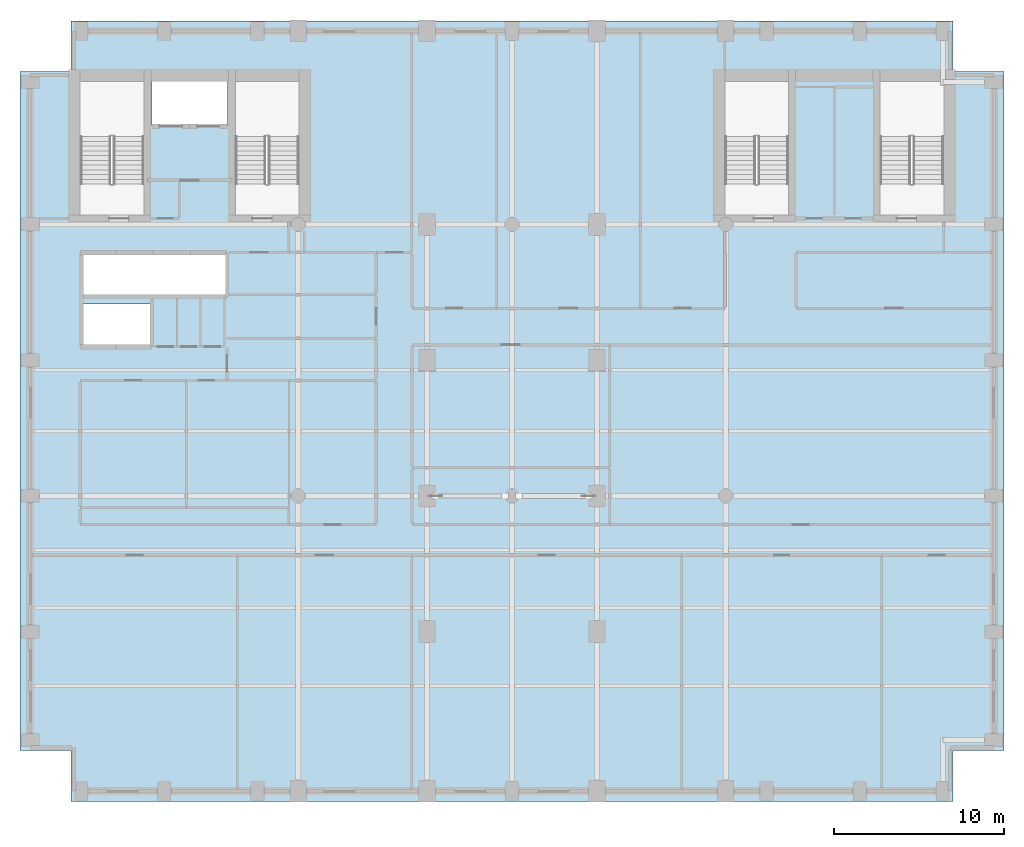
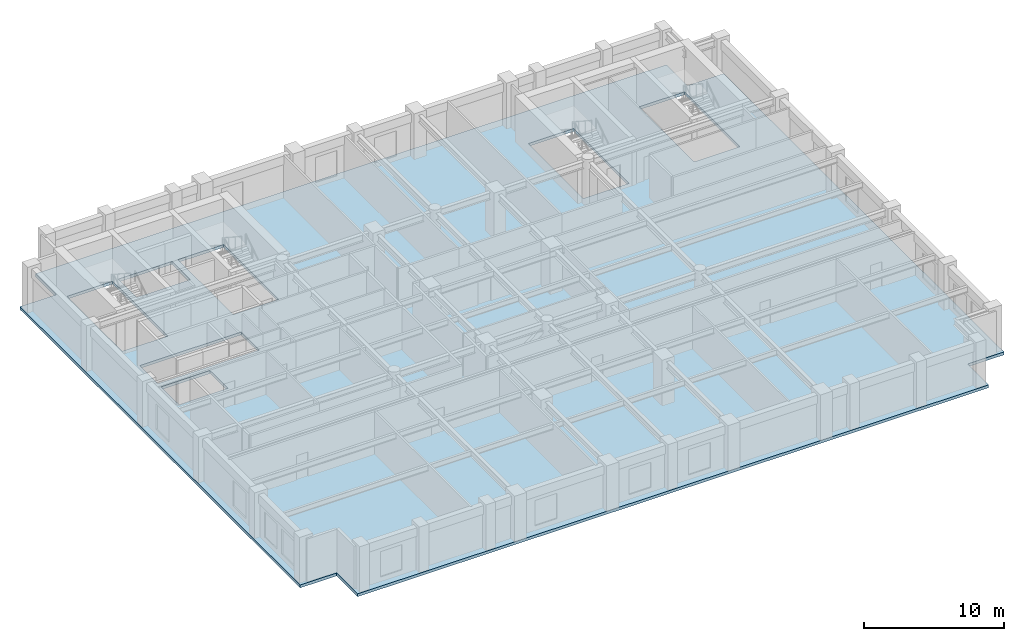
# One storey, part 3 of 10: 1 slab.
"""IFC4 building model written with IfcOpenShell, lengths in metres."""

import ifcopenshell
import ifcopenshell.guid

model = None  # the IFC model being written
_history = None  # IfcOwnerHistory: only IFC2X3 demands one
_inside = {}  # id of a spatial element -> (the spatial element, [elements in it])
_under = {}  # id of a project, library or spatial element -> (it, [spatial elements below it])
_declared = {}  # id of a project -> (the project, [libraries it declares])
_typed = {}  # id of a type object -> (the type object, [elements of that type])
_made_of = {}  # id of a material, layer set ... -> (it, [elements and type objects made of it])


def new_model(schema):
    """Start an empty IFC model of exactly this schema.

    Asked for "IFC4X3", IfcOpenShell would pick the latest addendum, in which some entities
    have other attributes; the version numbers below select the first issue.
    IFC2X3 requires an IfcOwnerHistory on every rooted entity: one is made here for all.
    """
    global model, _history
    if schema == "IFC4X3":
        model = ifcopenshell.file(schema_version=(4, 3, 0, 0))
    else:
        model = ifcopenshell.file(schema=schema)
    _inside.clear()
    _under.clear()
    _declared.clear()
    _typed.clear()
    _made_of.clear()
    _history = None
    if model.schema == "IFC2X3":
        org = make("IfcOrganization", Name="unknown")
        user = make(
            "IfcPersonAndOrganization",
            ThePerson=make("IfcPerson", FamilyName="unknown"),
            TheOrganization=org,
        )
        app = make(
            "IfcApplication",
            ApplicationDeveloper=org,
            Version="unknown",
            ApplicationFullName="unknown",
            ApplicationIdentifier="unknown",
        )
        _history = make(
            "IfcOwnerHistory",
            OwningUser=user,
            OwningApplication=app,
            ChangeAction="ADDED",
            CreationDate=0,
        )
    return model


def make(cls, **values):
    """One entity of the class cls with the attributes given. An attribute that is None is left unset."""
    return model.create_entity(
        cls, **{name: value for name, value in values.items() if value is not None}
    )


def rooted(cls, **values):
    """An entity with a GlobalId (a new one), such as an element, a storey or a relation."""
    return make(cls, GlobalId=ifcopenshell.guid.new(), OwnerHistory=_history, **values)


def si_unit(unit_type, name, prefix=None):
    """IfcSIUnit, for example si_unit("LENGTHUNIT", "METRE", prefix="MILLI")."""
    return make("IfcSIUnit", UnitType=unit_type, Prefix=prefix, Name=name)


def assignment(units):
    """IfcUnitAssignment: the units of a project."""
    return None if units is None else make("IfcUnitAssignment", Units=units)


def point(xyz):
    """IfcCartesianPoint."""
    return None if xyz is None else make("IfcCartesianPoint", Coordinates=xyz)


def direction(xyz):
    """IfcDirection."""
    return None if xyz is None else make("IfcDirection", DirectionRatios=xyz)


def frame(location, z_axis=None, x_axis=None):
    """IfcAxis2Placement3D, a coordinate frame: its origin and axes. An axis left out is left unset."""
    return make(
        "IfcAxis2Placement3D",
        Location=point(location),
        Axis=direction(z_axis),
        RefDirection=direction(x_axis),
    )


def origin():
    """The frame at (0, 0, 0) with its axes left unset."""
    return frame((0.0, 0.0, 0.0))


def place(relative_to, where):
    """IfcLocalPlacement: puts the frame where relative to a parent placement (None: the world)."""
    return make(
        "IfcLocalPlacement", PlacementRelTo=relative_to, RelativePlacement=where
    )


def context(
    kind, dimensions, precision=None, world=None, true_north=None, identifier=None
):
    """IfcGeometricRepresentationContext, for example the 3D "Model" context."""
    return make(
        "IfcGeometricRepresentationContext",
        ContextIdentifier=identifier,
        ContextType=kind,
        CoordinateSpaceDimension=dimensions,
        Precision=precision,
        WorldCoordinateSystem=world,
        TrueNorth=true_north,
    )


def subcontext(parent, identifier, kind, view, scale=None):
    """IfcGeometricRepresentationSubContext, for example "Body" below "Model"."""
    return make(
        "IfcGeometricRepresentationSubContext",
        ContextIdentifier=identifier,
        ContextType=kind,
        ParentContext=parent,
        TargetScale=scale,
        TargetView=view,
    )


def project(units=None, contexts=None):
    """IfcProject with its units and contexts."""
    return rooted(
        "IfcProject",
        Name="project",
        RepresentationContexts=contexts,
        UnitsInContext=assignment(units),
    )


def spatial(cls, under=None, at=None, **own):
    """A site, building, storey or space (cls), placed at a placement, below another one or the project."""
    s = rooted(cls, ObjectPlacement=at, **own)
    if under is not None:
        _under.setdefault(under.id(), (under, []))[1].append(s)
    return s


def polyline(points):
    """IfcPolyline through the points."""
    return make("IfcPolyline", Points=[point(p) for p in points])


def outline(outer, holes=None, kind="AREA"):
    """IfcArbitraryClosedProfileDef: a profile drawn as a closed curve; with holes, ...WithVoids."""
    if holes is None:
        return make("IfcArbitraryClosedProfileDef", ProfileType=kind, OuterCurve=outer)
    return make(
        "IfcArbitraryProfileDefWithVoids",
        ProfileType=kind,
        OuterCurve=outer,
        InnerCurves=holes,
    )


def extrude(swept, where, along, depth):
    """IfcExtrudedAreaSolid: the profile swept, set in the frame where, extruded along a direction by depth."""
    return make(
        "IfcExtrudedAreaSolid",
        SweptArea=swept,
        Position=where,
        ExtrudedDirection=direction(along),
        Depth=depth,
    )


def shape(context_of_items, identifier, shape_type, items):
    """IfcShapeRepresentation: the items that make up one representation, for example the "Body"."""
    return make(
        "IfcShapeRepresentation",
        ContextOfItems=context_of_items,
        RepresentationIdentifier=identifier,
        RepresentationType=shape_type,
        Items=items,
    )


def material(Name=None, Category=None):
    """IfcMaterial."""
    return make("IfcMaterial", Name=Name, Category=Category)


def layer(
    of_material, thickness, ventilated=None, Name=None, Category=None, Priority=None
):
    """IfcMaterialLayer: one layer of a wall or slab, of a material (None: an air gap)."""
    return make(
        "IfcMaterialLayer",
        Material=of_material,
        LayerThickness=thickness,
        IsVentilated=ventilated,
        Name=Name,
        Category=Category,
        Priority=Priority,
    )


def layer_set(layers, Name=None):
    """IfcMaterialLayerSet."""
    return make("IfcMaterialLayerSet", MaterialLayers=layers, LayerSetName=Name)


def made_of(thing, what):
    """Note that an element or type object is made of a material, layer set ...; save() writes the relation."""
    if what is not None:
        _made_of.setdefault(what.id(), (what, []))[1].append(thing)
    return thing


def type_object(cls, material=None, **own):
    """A type object (cls), such as IfcWallType, which elements share."""
    return made_of(rooted(cls, **own), material)


def element(
    cls,
    number,
    at=None,
    inside=None,
    cuts=None,
    type_object=None,
    material=None,
    context=None,
    identifier="Body",
    shape_type=None,
    held_by="IfcProductDefinitionShape",
    body=None,
    shapes=None,
    **own,
):
    """One element of the class cls, such as IfcWall. Its Tag is "e" and its number.

    at: its placement. inside: the storey or other place that contains it. cuts: it is an
    opening in that element (IfcRelVoidsElement). A single representation is given by context,
    identifier, shape_type and body (its items); several are given by shapes. held_by: the class
    of the entity that holds the representations. save() writes the other relations.
    """
    e = rooted(cls, Tag="e%d" % number, ObjectPlacement=at, **own)
    if body is not None:
        shapes = [shape(context, identifier, shape_type, body)]
    if shapes is not None:
        e.Representation = make(held_by, Representations=shapes)
    if inside is not None:
        _inside.setdefault(inside.id(), (inside, []))[1].append(e)
    if cuts is not None:
        rooted(
            "IfcRelVoidsElement", RelatingBuildingElement=cuts, RelatedOpeningElement=e
        )
    if type_object is not None:
        _typed.setdefault(type_object.id(), (type_object, []))[1].append(e)
    return made_of(e, material)


def aggregate(whole, parts):
    """IfcRelAggregates: a whole, such as a stair, and the parts it consists of."""
    return rooted("IfcRelAggregates", RelatingObject=whole, RelatedObjects=parts)


def save(model, path):
    """Write the relations noted so far, then the file.

    IfcRelAggregates (storeys below a building ...), IfcRelContainedInSpatialStructure (elements
    in a storey), IfcRelDefinesByType, IfcRelAssociatesMaterial and IfcRelDeclares: one each for
    every whole, place, type object, material and project.
    """
    for whole, parts in _under.values():
        aggregate(whole, parts)
    for where, things in _inside.values():
        rooted(
            "IfcRelContainedInSpatialStructure",
            RelatedElements=things,
            RelatingStructure=where,
        )
    for kind, things in _typed.values():
        rooted("IfcRelDefinesByType", RelatedObjects=things, RelatingType=kind)
    for what, things in _made_of.values():
        rooted("IfcRelAssociatesMaterial", RelatedObjects=things, RelatingMaterial=what)
    for by, libraries in _declared.values():
        rooted("IfcRelDeclares", RelatingContext=by, RelatedDefinitions=libraries)
    model.write(path)


model = new_model("IFC4")

# Units and contexts
model_context = context("Model", 3, precision=1e-05, world=origin(), true_north=direction((0.0, 1.0)))
body_context = subcontext(model_context, "Body", "Model", "MODEL_VIEW")
ifc_project = project(units=[si_unit("LENGTHUNIT", "METRE"), si_unit("AREAUNIT", "SQUARE_METRE"), si_unit("VOLUMEUNIT", "CUBIC_METRE"), si_unit("PLANEANGLEUNIT", "RADIAN"), si_unit("MASSUNIT", "GRAM", prefix="KILO")], contexts=[model_context])

# Site, building, storey
site_placement = place(None, origin())
site = spatial("IfcSite", under=ifc_project, at=site_placement, CompositionType="ELEMENT")
building_placement = place(site_placement, origin())
building = spatial("IfcBuilding", under=site, at=building_placement, Name="Sulina Concourse Tower", CompositionType="ELEMENT")
storey_placement = place(building_placement, frame((0.0, 0.0, 214.60009765625)))
storey = spatial("IfcBuildingStorey", under=building, at=storey_placement, Name="L52", CompositionType="ELEMENT", Elevation=214.60009765625)

# Slab
ifc_material = material(Name="Concrete C50/60", Category="concrete")
ifc_layer = layer(ifc_material, 0.25)
ifc_layer_set = layer_set([ifc_layer], Name="Concrete C50/60")
slab_type = type_object("IfcSlabType", Name="High-Rise Composite Floor Slab 250mm", PredefinedType="FLOOR", material=ifc_layer_set)
slab_placement = place(storey_placement, frame((0.0, 0.0, -0.25)))
element("IfcSlab", 1, at=slab_placement, inside=storey, type_object=slab_type, Name="L52 structural floor slab", PredefinedType="FLOOR", context=body_context, shape_type="SweptSolid", body=[
    extrude(outline(polyline([(3.0, 0.0), (55.0, 0.0), (55.0, 3.0), (58.0, 3.0), (58.0, 43.0), (55.0, 43.0), (55.0, 46.0), (3.0, 46.0), (3.0, 43.0), (0.0, 43.0), (0.0, 3.0), (3.0, 3.0), (3.0, 0.0)]), holes=[polyline([(7.31005859375, 34.550048828125), (7.31005859375, 42.429931640625), (3.550048828125, 42.429931640625), (3.550048828125, 34.550048828125), (7.31005859375, 34.550048828125)]), polyline([(16.449951171875, 34.550048828125), (16.449951171875, 42.429931640625), (12.68994140625, 42.429931640625), (12.68994140625, 34.550048828125), (16.449951171875, 34.550048828125)]), polyline([(45.31005859375, 34.550048828125), (45.31005859375, 42.429931640625), (41.550048828125, 42.429931640625), (41.550048828125, 34.550048828125), (45.31005859375, 34.550048828125)]), polyline([(54.449951171875, 34.550048828125), (54.449951171875, 42.429931640625), (50.68994140625, 42.429931640625), (50.68994140625, 34.550048828125), (54.449951171875, 34.550048828125)]), polyline([(7.780029296875, 39.830078125), (12.219970703125, 39.830078125), (12.219970703125, 42.449951171875), (7.780029296875, 42.449951171875), (7.780029296875, 39.830078125)]), polyline([(3.739990234375, 26.780029296875), (7.77001953125, 26.780029296875), (7.77001953125, 29.320068359375), (3.739990234375, 29.320068359375), (3.739990234375, 26.780029296875)]), polyline([(3.739990234375, 29.780029296875), (12.10009765625, 29.780029296875), (12.10009765625, 32.3701171875), (3.739990234375, 32.3701171875), (3.739990234375, 29.780029296875)])]), origin(), (0.0, 0.0, 1.0), 0.25),
])

save(model, "model.ifc")
